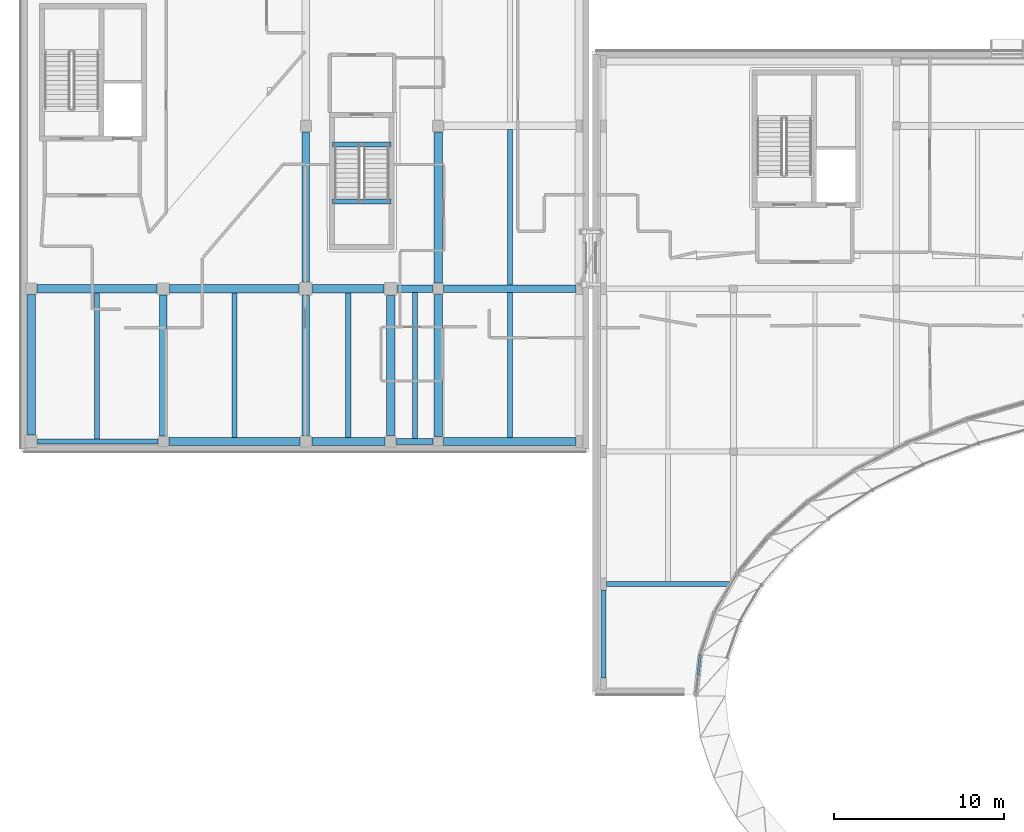
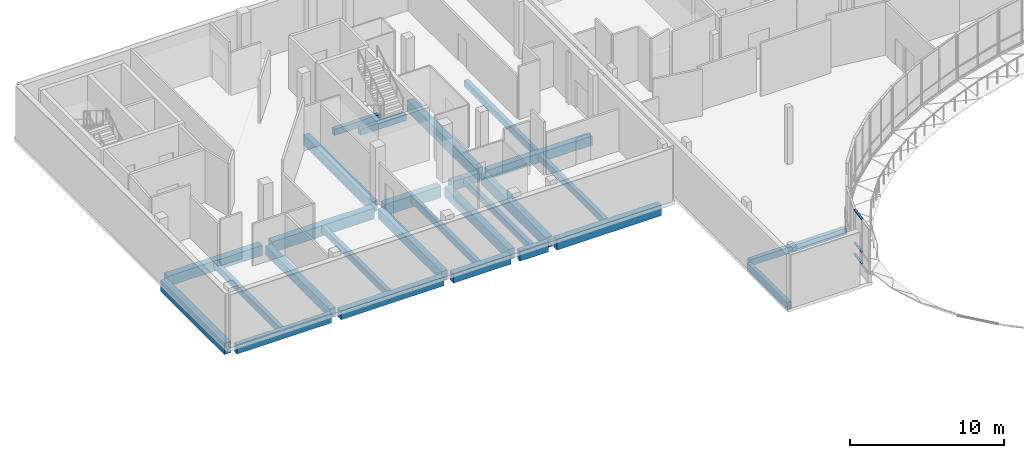
# One storey, part 8 of 41: 27 beams, 3 members, 1 element without a shape of its own.
"""IFC4 building model written with IfcOpenShell, lengths in metres."""

from ifc_helpers import new_model, si_unit, direction, frame, origin, origin_2d, place, context, subcontext, project, spatial, rectangle, extrude, material, material_profile, profile_set, type_object, element, aggregate, save


model = new_model("IFC4")

# Units and contexts
model_context = context("Model", 3, precision=1e-05, world=origin(), true_north=direction((0.0, 1.0)))
body_context = subcontext(model_context, "Body", "Model", "MODEL_VIEW")
ifc_project = project(units=[si_unit("LENGTHUNIT", "METRE"), si_unit("AREAUNIT", "SQUARE_METRE"), si_unit("VOLUMEUNIT", "CUBIC_METRE"), si_unit("PLANEANGLEUNIT", "RADIAN"), si_unit("MASSUNIT", "GRAM", prefix="KILO")], contexts=[model_context])

# Site, building, storey
site_placement = place(None, origin())
site = spatial("IfcSite", under=ifc_project, at=site_placement, CompositionType="ELEMENT")
building_placement = place(site_placement, origin())
building = spatial("IfcBuilding", under=site, at=building_placement, Name="Mzevani Central Library", CompositionType="ELEMENT")
storey_placement = place(building_placement, frame((0.0, 0.0, 13.800048828125)))
storey = spatial("IfcBuildingStorey", under=building, at=storey_placement, Name="L03", CompositionType="ELEMENT", Elevation=13.800048828125)

# Beams
ifc_material_1 = material(Name="Concrete C35/45", Category="concrete")
ifc_material_profile_1 = material_profile(ifc_material_1, rectangle(XDim=0.300048828125, YDim=0.5, at=origin_2d()), Name="RC B300x500")
ifc_profile_set_1 = profile_set([ifc_material_profile_1], Name="Concrete C35/45")
beam_type_1 = type_object("IfcBeamType", Name="Beam RC 300x500", PredefinedType="BEAM", material=ifc_profile_set_1)
beam_1_placement = place(storey_placement, frame((46.925048828125, 82.60009765625, -0.530029296875), z_axis=(1.0, 0.0, 0.0), x_axis=(0.0, 1.0, 0.0)))
element("IfcBeam", 1, at=beam_1_placement, inside=storey, type_object=beam_type_1, Name="L03 V3 Girder B-01 (632)", PredefinedType="BEAM", context=body_context, shape_type="SweptSolid", body=[
    extrude(rectangle(XDim=0.300048828125, YDim=0.5, at=origin_2d()), origin(), (0.0, 0.0, 1.0), 7.25),
])
for number, where, z_axis, x_axis, name in (
    (2, (30.780029296875, 105.139892578125, 1.800048828125), (1.0, 0.0, 0.0), (0.0, 1.0, 0.0), "L03 Core C2B Stacks East Escape Stair Stair Landing Beam 1"),
    (3, (30.780029296875, 108.5, -0.25), (1.0, 0.0, 0.0), (0.0, 1.0, 0.0), "L03 Core C2B Stacks East Escape Stair Stair Opening Trimmer Beam"),
):
    element("IfcBeam", number, at=place(storey_placement, frame(where, z_axis=z_axis, x_axis=x_axis)), inside=storey, type_object=beam_type_1, Name=name, PredefinedType="BEAM", context=body_context, shape_type="SweptSolid", body=[
        extrude(rectangle(XDim=0.300048828125, YDim=0.5, at=origin_2d()), origin(), (0.0, 0.0, 1.0), 3.43994140625),
    ])
ifc_material_profile_2 = material_profile(ifc_material_1, rectangle(XDim=0.300048828125, YDim=0.60009765625, at=origin_2d()), Name="RC B300x600")
ifc_profile_set_2 = profile_set([ifc_material_profile_2], Name="Concrete C35/45")
beam_type_2 = type_object("IfcBeamType", Name="Beam RC 300x600", PredefinedType="BEAM", material=ifc_profile_set_2)
beam_2_placement = place(storey_placement, frame((46.75, 77.050048828125, -0.580078125), z_axis=(0.0, 1.0, 0.0), x_axis=(-1.0, 0.0, 0.0)))
element("IfcBeam", 4, at=beam_2_placement, inside=storey, type_object=beam_type_2, Name="L03 V3 Frame Beam B-03 (662)", PredefinedType="BEAM", context=body_context, shape_type="SweptSolid", body=[
    extrude(rectangle(XDim=0.300048828125, YDim=0.60009765625, at=origin_2d()), origin(), (0.0, 0.0, 1.0), 5.199951171875),
])

# Curtain wall, members
ifc_material_2 = material(Name="Thermally broken aluminium and Low-E triple glazing", Category="aluminium")
curtain_wall_type = type_object("IfcCurtainWallType", Name="Elliptical Court Unitised Curtain Wall", PredefinedType="NOTDEFINED", material=ifc_material_2)
curtain_wall_placement = place(storey_placement, origin())
curtain_wall = element("IfcCurtainWall", 5, at=curtain_wall_placement, inside=storey, type_object=curtain_wall_type, Name="L03 Elliptical Court Curtain Wall 24", PredefinedType="NOTDEFINED")
ifc_material_3 = material(Name="Thermally broken aluminium AW-6060", Category="aluminium")
ifc_material_profile_3 = material_profile(ifc_material_3, rectangle(XDim=0.14990234375, YDim=0.06005859375, at=origin_2d()), Name="ALU T60x150")
ifc_profile_set_3 = profile_set([ifc_material_profile_3], Name="Thermally broken aluminium AW-6060")
member_type = type_object("IfcMemberType", Name="CW Transom 60x150", PredefinedType="USERDEFINED", material=ifc_profile_set_3)
member_1_placement = place(storey_placement, frame((52.450439453125, 78.43798828125, 0.719970703125), z_axis=(-0.110453448181, -0.993881298639, 0.0), x_axis=(0.993881298639, -0.110453448181, 0.0)))
member_1 = element("IfcMember", 6, at=member_1_placement, type_object=member_type, Name="L03 Elliptical Court Curtain Wall 24 Transom 1", ObjectType="TRANSOM", PredefinedType="USERDEFINED", context=body_context, shape_type="SweptSolid", body=[
    extrude(rectangle(XDim=0.14990234375, YDim=0.06005859375, at=origin_2d()), origin(), (0.0, 0.0, 1.0), 1.222412109375),
])
member_2_placement = place(storey_placement, frame((52.450439453125, 78.43798828125, 1.619873046875), z_axis=(-0.110453448181, -0.993881298639, 0.0), x_axis=(0.993881298639, -0.110453448181, 0.0)))
member_2 = element("IfcMember", 7, at=member_2_placement, type_object=member_type, Name="L03 Elliptical Court Curtain Wall 24 Transom 2", ObjectType="TRANSOM", PredefinedType="USERDEFINED", context=body_context, shape_type="SweptSolid", body=[
    extrude(rectangle(XDim=0.14990234375, YDim=0.06005859375, at=origin_2d()), origin(), (0.0, 0.0, 1.0), 1.222412109375),
])
member_3_placement = place(storey_placement, frame((52.450439453125, 78.43798828125, 4.219970703125), z_axis=(-0.110453448181, -0.993881298639, 0.0), x_axis=(0.993881298639, -0.110453448181, 0.0)))
member_3 = element("IfcMember", 8, at=member_3_placement, type_object=member_type, Name="L03 Elliptical Court Curtain Wall 24 Transom 3", ObjectType="TRANSOM", PredefinedType="USERDEFINED", context=body_context, shape_type="SweptSolid", body=[
    extrude(rectangle(XDim=0.14990234375, YDim=0.06005859375, at=origin_2d()), origin(), (0.0, 0.0, 1.0), 1.222412109375),
])
aggregate(curtain_wall, [member_1, member_2, member_3])

# Beams
ifc_material_4 = material(Name="Precast concrete C40/50", Category="concrete")
ifc_material_profile_4 = material_profile(ifc_material_4, rectangle(XDim=0.35009765625, YDim=0.800048828125, at=origin_2d()), Name="RC SP350x800")
ifc_profile_set_4 = profile_set([ifc_material_profile_4], Name="Precast concrete C40/50")
beam_type_3 = type_object("IfcBeamType", Name="Colonnade Fascia Beam RC 350x800", PredefinedType="SPANDREL", material=ifc_profile_set_4)
beam_3_placement = place(storey_placement, frame((34.550048828125, 91.0, -0.719970703125), z_axis=(1.0, 0.0, 0.0), x_axis=(0.0, 1.0, 0.0)))
element("IfcBeam", 9, at=beam_3_placement, inside=storey, type_object=beam_type_3, Name="L03 V2 Girder SP-02 (345)", PredefinedType="SPANDREL", context=body_context, shape_type="SweptSolid", body=[
    extrude(rectangle(XDim=0.35009765625, YDim=0.800048828125, at=origin_2d()), origin(), (0.0, 0.0, 1.0), 2.14990234375),
])
ifc_material_profile_5 = material_profile(ifc_material_4, rectangle(XDim=0.300048828125, YDim=0.75, at=origin_2d()), Name="RC SP300x750")
ifc_profile_set_5 = profile_set([ifc_material_profile_5], Name="Precast concrete C40/50")
beam_type_4 = type_object("IfcBeamType", Name="Edge Spandrel Beam RC 300x750", PredefinedType="SPANDREL", material=ifc_profile_set_5)
beam_4_placement = place(storey_placement, frame((13.375, 91.0, -0.695068359375), z_axis=(1.0, 0.0, 0.0), x_axis=(0.0, 1.0, 0.0)))
element("IfcBeam", 10, at=beam_4_placement, inside=storey, type_object=beam_type_4, Name="L03 V2 Girder SP-01 (342)", PredefinedType="SPANDREL", context=body_context, shape_type="SweptSolid", body=[
    extrude(rectangle(XDim=0.300048828125, YDim=0.75, at=origin_2d()), origin(), (0.0, 0.0, 1.0), 7.10009765625),
])
ifc_material_5 = material(Name="Concrete C40/50", Category="concrete")
ifc_material_profile_6 = material_profile(ifc_material_5, rectangle(XDim=0.449951171875, YDim=0.699951171875, at=origin_2d()), Name="RC B450x700")
ifc_profile_set_6 = profile_set([ifc_material_profile_6], Name="Concrete C40/50")
beam_type_5 = type_object("IfcBeamType", Name="Stack Girder RC 450x700", PredefinedType="BEAM", material=ifc_profile_set_6)
beam_5_placement = place(storey_placement, frame((21.125, 91.0, -0.670166015625), z_axis=(1.0, 0.0, 0.0), x_axis=(0.0, 1.0, 0.0)))
element("IfcBeam", 11, at=beam_5_placement, inside=storey, type_object=beam_type_5, Name="L03 V2 Girder BG-01 (343)", PredefinedType="BEAM", context=body_context, shape_type="SweptSolid", body=[
    extrude(rectangle(XDim=0.449951171875, YDim=0.699951171875, at=origin_2d()), origin(), (0.0, 0.0, 1.0), 7.72509765625),
])
beam_6_placement = place(storey_placement, frame((34.60009765625, 100.0, -0.670166015625), z_axis=(1.0, 0.0, 0.0), x_axis=(0.0, 1.0, 0.0)))
element("IfcBeam", 12, at=beam_6_placement, inside=storey, type_object=beam_type_5, Name="L03 V2 Girder BG-01 (350)", PredefinedType="BEAM", context=body_context, shape_type="SweptSolid", body=[
    extrude(rectangle(XDim=0.449951171875, YDim=0.699951171875, at=origin_2d()), origin(), (0.0, 0.0, 1.0), 2.074951171875),
])
beam_7_placement = place(storey_placement, frame((20.800048828125, 91.324951171875, -0.670166015625), z_axis=(0.0, 1.0, 0.0), x_axis=(-1.0, 0.0, 0.0)))
element("IfcBeam", 13, at=beam_7_placement, inside=storey, type_object=beam_type_5, Name="L03 V2 Frame Beam BG-01 (357)", PredefinedType="BEAM", context=body_context, shape_type="SweptSolid", body=[
    extrude(rectangle(XDim=0.449951171875, YDim=0.699951171875, at=origin_2d()), origin(), (0.0, 0.0, 1.0), 8.300048828125),
])
ifc_material_profile_7 = material_profile(ifc_material_5, rectangle(XDim=0.449951171875, YDim=0.75, at=origin_2d()), Name="RC B450x750")
ifc_profile_set_7 = profile_set([ifc_material_profile_7], Name="Concrete C40/50")
beam_type_6 = type_object("IfcBeamType", Name="Stack Girder RC 450x750", PredefinedType="BEAM", material=ifc_profile_set_7)
beam_8_placement = place(storey_placement, frame((29.550048828125, 91.0, -0.695068359375), z_axis=(1.0, 0.0, 0.0), x_axis=(0.0, 1.0, 0.0)))
element("IfcBeam", 14, at=beam_8_placement, inside=storey, type_object=beam_type_6, Name="L03 V2 Girder BG-02 (344)", PredefinedType="BEAM", context=body_context, shape_type="SweptSolid", body=[
    extrude(rectangle(XDim=0.449951171875, YDim=0.75, at=origin_2d()), origin(), (0.0, 0.0, 1.0), 4.300048828125),
])
beam_9_placement = place(storey_placement, frame((37.324951171875, 100.0, -0.695068359375), z_axis=(1.0, 0.0, 0.0), x_axis=(0.0, 1.0, 0.0)))
element("IfcBeam", 15, at=beam_9_placement, inside=storey, type_object=beam_type_6, Name="L03 V2 Girder BG-02 (351)", PredefinedType="BEAM", context=body_context, shape_type="SweptSolid", body=[
    extrude(rectangle(XDim=0.449951171875, YDim=0.75, at=origin_2d()), origin(), (0.0, 0.0, 1.0), 7.800048828125),
])
beam_10_placement = place(storey_placement, frame((29.199951171875, 91.35009765625, -0.695068359375), z_axis=(0.0, 1.0, 0.0), x_axis=(-1.0, 0.0, 0.0)))
element("IfcBeam", 16, at=beam_10_placement, inside=storey, type_object=beam_type_6, Name="L03 V2 Frame Beam BG-02 (358)", PredefinedType="BEAM", context=body_context, shape_type="SweptSolid", body=[
    extrude(rectangle(XDim=0.449951171875, YDim=0.75, at=origin_2d()), origin(), (0.0, 0.0, 1.0), 8.25),
])
ifc_material_profile_8 = material_profile(ifc_material_5, rectangle(XDim=0.449951171875, YDim=0.800048828125, at=origin_2d()), Name="RC B450x800")
ifc_profile_set_8 = profile_set([ifc_material_profile_8], Name="Concrete C40/50")
beam_type_7 = type_object("IfcBeamType", Name="Stack Girder RC 450x800", PredefinedType="BEAM", material=ifc_profile_set_8)
beam_11_placement = place(storey_placement, frame((29.199951171875, 100.39990234375, -0.719970703125), z_axis=(0.0, 1.0, 0.0), x_axis=(-1.0, 0.0, 0.0)))
element("IfcBeam", 17, at=beam_11_placement, inside=storey, type_object=beam_type_7, Name="L03 V2 Frame Beam BG-03 (359)", PredefinedType="BEAM", context=body_context, shape_type="SweptSolid", body=[
    extrude(rectangle(XDim=0.449951171875, YDim=0.800048828125, at=origin_2d()), origin(), (0.0, 0.0, 1.0), 8.85009765625),
])
ifc_material_profile_9 = material_profile(ifc_material_5, rectangle(XDim=0.449951171875, YDim=0.85009765625, at=origin_2d()), Name="RC B450x850")
ifc_profile_set_9 = profile_set([ifc_material_profile_9], Name="Concrete C40/50")
beam_type_8 = type_object("IfcBeamType", Name="Stack Girder RC 450x850", PredefinedType="BEAM", material=ifc_profile_set_9)
beam_12_placement = place(storey_placement, frame((37.300048828125, 91.0, -0.7451171875), z_axis=(1.0, 0.0, 0.0), x_axis=(0.0, 1.0, 0.0)))
element("IfcBeam", 18, at=beam_12_placement, inside=storey, type_object=beam_type_8, Name="L03 V2 Girder BG-04 (346)", PredefinedType="BEAM", context=body_context, shape_type="SweptSolid", body=[
    extrude(rectangle(XDim=0.449951171875, YDim=0.85009765625, at=origin_2d()), origin(), (0.0, 0.0, 1.0), 7.824951171875),
])
ifc_material_profile_10 = material_profile(ifc_material_5, rectangle(XDim=0.5, YDim=0.800048828125, at=origin_2d()), Name="RC B500x800")
ifc_profile_set_10 = profile_set([ifc_material_profile_10], Name="Concrete C40/50")
beam_type_9 = type_object("IfcBeamType", Name="Stack Girder RC 500x800", PredefinedType="BEAM", material=ifc_profile_set_10)
beam_13_placement = place(storey_placement, frame((13.35009765625, 100.0, -0.719970703125), z_axis=(1.0, 0.0, 0.0), x_axis=(0.0, 1.0, 0.0)))
element("IfcBeam", 19, at=beam_13_placement, inside=storey, type_object=beam_type_9, Name="L03 V2 Girder BG-05 (347)", PredefinedType="BEAM", context=body_context, shape_type="SweptSolid", body=[
    extrude(rectangle(XDim=0.5, YDim=0.800048828125, at=origin_2d()), origin(), (0.0, 0.0, 1.0), 7.074951171875),
])
beam_14_placement = place(storey_placement, frame((34.199951171875, 91.35009765625, -0.719970703125), z_axis=(0.0, 1.0, 0.0), x_axis=(-1.0, 0.0, 0.0)))
element("IfcBeam", 20, at=beam_14_placement, inside=storey, type_object=beam_type_9, Name="L03 V2 Frame Beam BG-05 (361)", PredefinedType="BEAM", context=body_context, shape_type="SweptSolid", body=[
    extrude(rectangle(XDim=0.5, YDim=0.800048828125, at=origin_2d()), origin(), (0.0, 0.0, 1.0), 8.25),
])
ifc_material_profile_11 = material_profile(ifc_material_5, rectangle(XDim=0.5, YDim=0.85009765625, at=origin_2d()), Name="RC B500x850")
ifc_profile_set_11 = profile_set([ifc_material_profile_11], Name="Concrete C40/50")
beam_type_10 = type_object("IfcBeamType", Name="Stack Girder RC 500x850", PredefinedType="BEAM", material=ifc_profile_set_11)
beam_15_placement = place(storey_placement, frame((21.175048828125, 100.0, -0.7451171875), z_axis=(1.0, 0.0, 0.0), x_axis=(0.0, 1.0, 0.0)))
element("IfcBeam", 21, at=beam_15_placement, inside=storey, type_object=beam_type_10, Name="L03 V2 Girder BG-06 (348)", PredefinedType="BEAM", context=body_context, shape_type="SweptSolid", body=[
    extrude(rectangle(XDim=0.5, YDim=0.85009765625, at=origin_2d()), origin(), (0.0, 0.0, 1.0), 7.625),
])
beam_16_placement = place(storey_placement, frame((37.0, 91.300048828125, -0.7451171875), z_axis=(0.0, 1.0, 0.0), x_axis=(-1.0, 0.0, 0.0)))
element("IfcBeam", 22, at=beam_16_placement, inside=storey, type_object=beam_type_10, Name="L03 V2 Frame Beam BG-06 (362)", PredefinedType="BEAM", context=body_context, shape_type="SweptSolid", body=[
    extrude(rectangle(XDim=0.5, YDim=0.85009765625, at=origin_2d()), origin(), (0.0, 0.0, 1.0), 8.375),
])
ifc_material_profile_12 = material_profile(ifc_material_5, rectangle(XDim=0.5, YDim=0.89990234375, at=origin_2d()), Name="RC B500x900")
ifc_profile_set_12 = profile_set([ifc_material_profile_12], Name="Concrete C40/50")
beam_type_11 = type_object("IfcBeamType", Name="Stack Girder RC 500x900", PredefinedType="BEAM", material=ifc_profile_set_12)
beam_17_placement = place(storey_placement, frame((29.60009765625, 100.0, -0.77001953125), z_axis=(1.0, 0.0, 0.0), x_axis=(0.0, 1.0, 0.0)))
element("IfcBeam", 23, at=beam_17_placement, inside=storey, type_object=beam_type_11, Name="L03 V2 Girder BG-07 (349)", PredefinedType="BEAM", context=body_context, shape_type="SweptSolid", body=[
    extrude(rectangle(XDim=0.5, YDim=0.89990234375, at=origin_2d()), origin(), (0.0, 0.0, 1.0), 4.199951171875),
])
beam_18_placement = place(storey_placement, frame((13.0, 91.375, -0.77001953125), z_axis=(0.0, 1.0, 0.0), x_axis=(-1.0, 0.0, 0.0)))
element("IfcBeam", 24, at=beam_18_placement, inside=storey, type_object=beam_type_11, Name="L03 V2 Frame Beam BG-07 (356)", PredefinedType="BEAM", context=body_context, shape_type="SweptSolid", body=[
    extrude(rectangle(XDim=0.5, YDim=0.89990234375, at=origin_2d()), origin(), (0.0, 0.0, 1.0), 8.27490234375),
])
beam_19_placement = place(storey_placement, frame((37.0, 100.324951171875, -0.77001953125), z_axis=(0.0, 1.0, 0.0), x_axis=(-1.0, 0.0, 0.0)))
element("IfcBeam", 25, at=beam_19_placement, inside=storey, type_object=beam_type_11, Name="L03 V2 Frame Beam BG-07 (363)", PredefinedType="BEAM", context=body_context, shape_type="SweptSolid", body=[
    extrude(rectangle(XDim=0.5, YDim=0.89990234375, at=origin_2d()), origin(), (0.0, 0.0, 1.0), 8.925048828125),
])
ifc_material_profile_13 = material_profile(ifc_material_5, rectangle(XDim=0.300048828125, YDim=0.52001953125, at=origin_2d()), Name="RC J300x520")
ifc_profile_set_13 = profile_set([ifc_material_profile_13], Name="Concrete C40/50")
beam_type_12 = type_object("IfcBeamType", Name="Stack Joist RC 300x520", PredefinedType="JOIST", material=ifc_profile_set_13)
beam_20_placement = place(storey_placement, frame((16.89990234375, 91.14990234375, -0.580078125), z_axis=(0.0, 1.0, 0.0), x_axis=(-1.0, 0.0, 0.0)))
element("IfcBeam", 26, at=beam_20_placement, inside=storey, type_object=beam_type_12, Name="L03 V2 Floor Joist BJ-04 (368)", PredefinedType="JOIST", context=body_context, shape_type="SweptSolid", body=[
    extrude(rectangle(XDim=0.300048828125, YDim=0.52001953125, at=origin_2d()), origin(), (0.0, 0.0, 1.0), 8.60009765625),
])
for number, where, z_axis, x_axis, name in (
    (27, (24.987548828125, 91.22509765625, -0.580078125), (0.0, 1.0, 0.0), (-1.0, 0.0, 0.0), "L03 V2 Floor Joist BJ-04 (369)"),
    (28, (31.699951171875, 91.22509765625, -0.580078125), (0.0, 1.0, 0.0), (-1.0, 0.0, 0.0), "L03 V2 Floor Joist BJ-04 (370)"),
):
    element("IfcBeam", number, at=place(storey_placement, frame(where, z_axis=z_axis, x_axis=x_axis)), inside=storey, type_object=beam_type_12, Name=name, PredefinedType="JOIST", context=body_context, shape_type="SweptSolid", body=[
        extrude(rectangle(XDim=0.300048828125, YDim=0.52001953125, at=origin_2d()), origin(), (0.0, 0.0, 1.0), 8.52490234375),
    ])
beam_21_placement = place(storey_placement, frame((35.637451171875, 91.175048828125, -0.580078125), z_axis=(0.0, 1.0, 0.0), x_axis=(-1.0, 0.0, 0.0)))
element("IfcBeam", 29, at=beam_21_placement, inside=storey, type_object=beam_type_12, Name="L03 V2 Floor Joist BJ-04 (371)", PredefinedType="JOIST", context=body_context, shape_type="SweptSolid", body=[
    extrude(rectangle(XDim=0.300048828125, YDim=0.52001953125, at=origin_2d()), origin(), (0.0, 0.0, 1.0), 8.599853515625),
])
beam_22_placement = place(storey_placement, frame((41.22509765625, 91.22509765625, -0.580078125), z_axis=(0.0, 1.0, 0.0), x_axis=(-1.0, 0.0, 0.0)))
element("IfcBeam", 30, at=beam_22_placement, inside=storey, type_object=beam_type_12, Name="L03 V2 Floor Joist BJ-04 (372)", PredefinedType="JOIST", context=body_context, shape_type="SweptSolid", body=[
    extrude(rectangle(XDim=0.300048828125, YDim=0.52001953125, at=origin_2d()), origin(), (0.0, 0.0, 1.0), 8.5498046875),
])
beam_23_placement = place(storey_placement, frame((41.237548828125, 100.22509765625, -0.580078125), z_axis=(0.0, 1.0, 0.0), x_axis=(-1.0, 0.0, 0.0)))
element("IfcBeam", 31, at=beam_23_placement, inside=storey, type_object=beam_type_12, Name="L03 V2 Floor Joist BJ-04 (373)", PredefinedType="JOIST", context=body_context, shape_type="SweptSolid", body=[
    extrude(rectangle(XDim=0.300048828125, YDim=0.52001953125, at=origin_2d()), origin(), (0.0, 0.0, 1.0), 9.14990234375),
])

save(model, "model.ifc")
